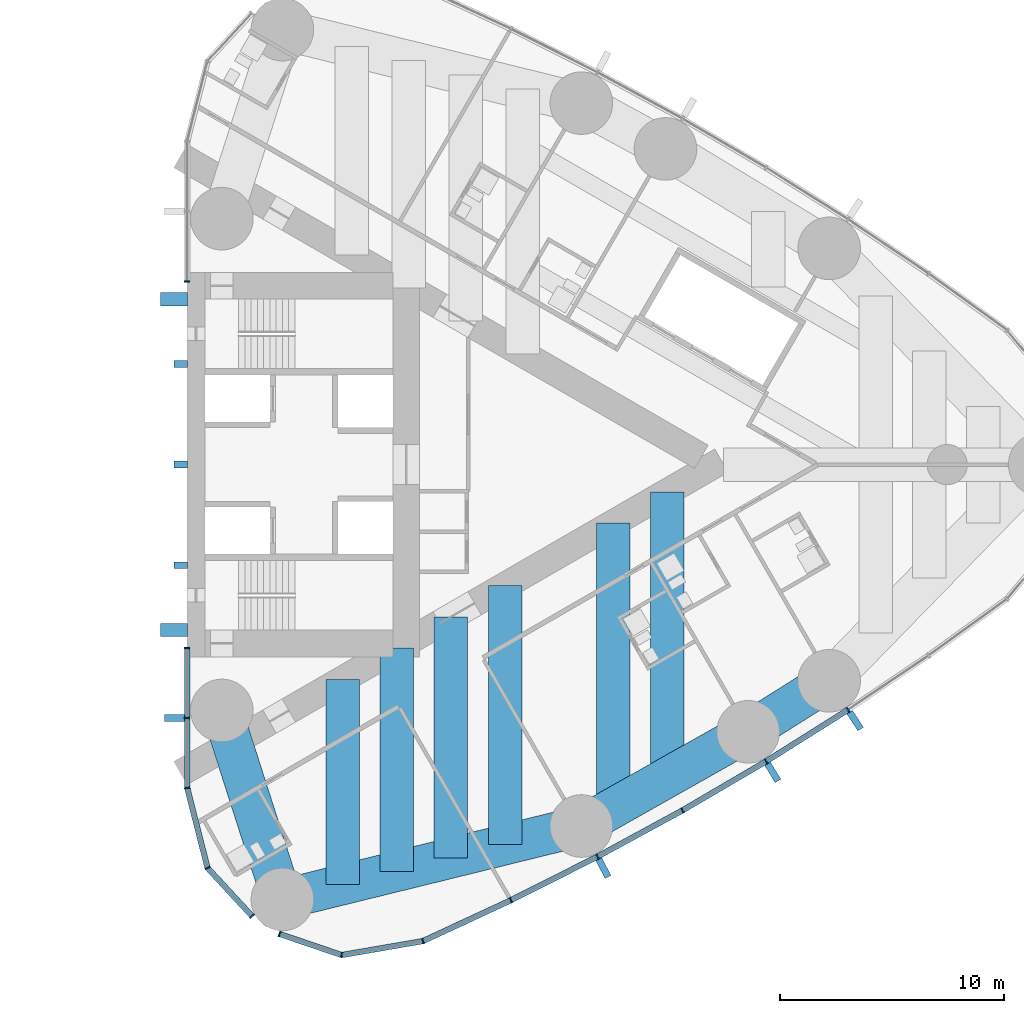
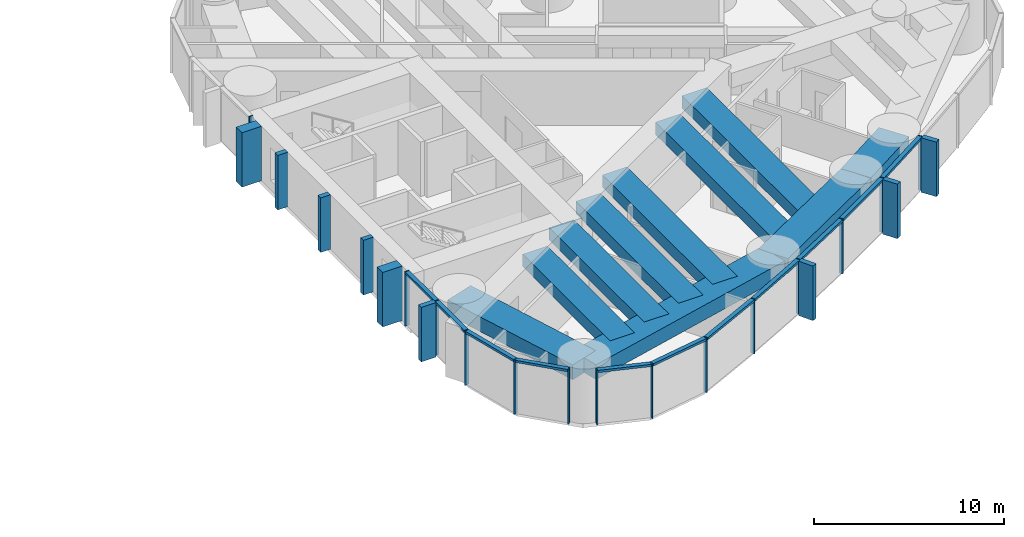
# One storey, part 6 of 18: 34 members, 10 beams, 3 elements without a shape of their own.
"""IFC4 building model written with IfcOpenShell, lengths in metres."""

from ifc_helpers import new_model, si_unit, direction, frame, origin, origin_2d, place, context, subcontext, project, spatial, rectangle, extrude, material, material_profile, profile_set, type_object, element, aggregate, save


model = new_model("IFC4")

# Units and contexts
model_context = context("Model", 3, precision=1e-05, world=origin(), true_north=direction((0.0, 1.0)))
body_context = subcontext(model_context, "Body", "Model", "MODEL_VIEW")
ifc_project = project(units=[si_unit("LENGTHUNIT", "METRE"), si_unit("AREAUNIT", "SQUARE_METRE"), si_unit("VOLUMEUNIT", "CUBIC_METRE"), si_unit("PLANEANGLEUNIT", "RADIAN"), si_unit("MASSUNIT", "GRAM", prefix="KILO")], contexts=[model_context])

# Site, building, storey
site_placement = place(None, origin())
site = spatial("IfcSite", under=ifc_project, at=site_placement, CompositionType="ELEMENT")
building_placement = place(site_placement, origin())
building = spatial("IfcBuilding", under=site, at=building_placement, Name="Lancet Gate Hotel", CompositionType="ELEMENT")
storey_placement = place(building_placement, frame((0.0, 0.0, 166.800048828125)))
storey = spatial("IfcBuildingStorey", under=building, at=storey_placement, Name="L44", CompositionType="ELEMENT", Elevation=166.800048828125)

# Curtain wall, members
ifc_material_1 = material(Name="Aluminium curtain wall", Category="aluminium")
curtain_wall_type = type_object("IfcCurtainWallType", Name="Tower unitised curtain wall", PredefinedType="USERDEFINED", material=ifc_material_1)
curtain_wall_1_placement = place(storey_placement, origin())
curtain_wall_1 = element("IfcCurtainWall", 1, at=curtain_wall_1_placement, inside=storey, type_object=curtain_wall_type, Name="T2 L44 curtain wall 1", ObjectType="UNITISED CURTAIN WALL", PredefinedType="USERDEFINED")
ifc_material_2 = material(Name="Aluminium mullion", Category="aluminium")
ifc_material_profile_1 = material_profile(ifc_material_2, rectangle(XDim=0.06494140625, YDim=0.25, at=origin_2d()), Name="MULLION 65x250")
ifc_profile_set_1 = profile_set([ifc_material_profile_1], Name="Aluminium mullion")
member_type_1 = type_object("IfcMemberType", Name="Aluminium mullion 65x250", PredefinedType="MULLION", material=ifc_profile_set_1)
member_1_placement = place(storey_placement, frame((27.5, -8.199951171875, 0.0), z_axis=(0.0, 0.0, 1.0), x_axis=(0.0, -1.0, 0.0)))
member_1 = element("IfcMember", 2, at=member_1_placement, type_object=member_type_1, Name="T2 L44 curtain wall 1 mullion 1", PredefinedType="MULLION", context=body_context, shape_type="SweptSolid", body=[
    extrude(rectangle(XDim=0.06494140625, YDim=0.25, at=origin_2d()), origin(), (0.0, 0.0, 1.0), 3.5),
])
member_2_placement = place(storey_placement, frame((27.5, -11.332763671875, 0.0), z_axis=(0.0, 0.0, 1.0), x_axis=(0.0, -1.0, 0.0)))
member_2 = element("IfcMember", 3, at=member_2_placement, type_object=member_type_1, Name="T2 L44 curtain wall 1 mullion 2", PredefinedType="MULLION", context=body_context, shape_type="SweptSolid", body=[
    extrude(rectangle(XDim=0.06494140625, YDim=0.25, at=origin_2d()), origin(), (0.0, 0.0, 1.0), 3.5),
])
member_3_placement = place(storey_placement, frame((27.5, -14.465576171875, 0.0), z_axis=(0.0, 0.0, 1.0), x_axis=(0.134206524909, -0.990953383703, 0.0)))
member_3 = element("IfcMember", 4, at=member_3_placement, type_object=member_type_1, Name="T2 L44 curtain wall 1 mullion 3", PredefinedType="MULLION", context=body_context, shape_type="SweptSolid", body=[
    extrude(rectangle(XDim=0.06494140625, YDim=0.25, at=origin_2d()), origin(), (0.0, 0.0, 1.0), 3.5),
])
member_4_placement = place(storey_placement, frame((28.408935546875, -18.04443359375, 0.0), z_axis=(0.0, 0.0, 1.0), x_axis=(0.451505925065, -0.892268120932, 0.0)))
member_4 = element("IfcMember", 5, at=member_4_placement, type_object=member_type_1, Name="T2 L44 curtain wall 1 mullion 4", PredefinedType="MULLION", context=body_context, shape_type="SweptSolid", body=[
    extrude(rectangle(XDim=0.06494140625, YDim=0.25, at=origin_2d()), origin(), (0.0, 0.0, 1.0), 3.5),
])
member_5_placement = place(storey_placement, frame((30.40185546875, -20.199951171875, 0.0), z_axis=(0.0, 0.0, 1.0), x_axis=(0.67883123083, -0.734294327943, 0.0)))
member_5 = element("IfcMember", 6, at=member_5_placement, type_object=member_type_1, Name="T2 L44 curtain wall 1 mullion 5", PredefinedType="MULLION", context=body_context, shape_type="SweptSolid", body=[
    extrude(rectangle(XDim=0.06494140625, YDim=0.25, at=origin_2d()), origin(), (0.0, 0.0, 1.0), 3.5),
])

curtain_wall_2_placement = place(storey_placement, origin())
curtain_wall_2 = element("IfcCurtainWall", 7, at=curtain_wall_2_placement, inside=storey, type_object=curtain_wall_type, Name="T2 L44 curtain wall 2", ObjectType="UNITISED CURTAIN WALL", PredefinedType="USERDEFINED")
member_6_placement = place(storey_placement, frame((31.631591796875, -20.998779296875, 0.0), z_axis=(0.0, 0.0, 1.0), x_axis=(0.946952368511, -0.321373943827, 0.0)))
member_6 = element("IfcMember", 8, at=member_6_placement, type_object=member_type_1, Name="T2 L44 curtain wall 2 mullion 1", PredefinedType="MULLION", context=body_context, shape_type="SweptSolid", body=[
    extrude(rectangle(XDim=0.06494140625, YDim=0.25, at=origin_2d()), origin(), (0.0, 0.0, 1.0), 3.5),
])
member_7_placement = place(storey_placement, frame((34.412109375, -21.9423828125, 0.0), z_axis=(0.0, 0.0, 1.0), x_axis=(0.99877556888, -0.049470829879, 0.0)))
member_7 = element("IfcMember", 9, at=member_7_placement, type_object=member_type_1, Name="T2 L44 curtain wall 2 mullion 2", PredefinedType="MULLION", context=body_context, shape_type="SweptSolid", body=[
    extrude(rectangle(XDim=0.06494140625, YDim=0.25, at=origin_2d()), origin(), (0.0, 0.0, 1.0), 3.5),
])
member_8_placement = place(storey_placement, frame((38.05126953125, -21.31689453125, 0.0), z_axis=(0.0, 0.0, 1.0), x_axis=(0.951355493327, 0.308095318555, 0.0)))
member_8 = element("IfcMember", 10, at=member_8_placement, type_object=member_type_1, Name="T2 L44 curtain wall 2 mullion 3", PredefinedType="MULLION", context=body_context, shape_type="SweptSolid", body=[
    extrude(rectangle(XDim=0.06494140625, YDim=0.25, at=origin_2d()), origin(), (0.0, 0.0, 1.0), 3.5),
])
member_9_placement = place(storey_placement, frame((41.98193359375, -19.490966796875, 0.0), z_axis=(0.0, 0.0, 1.0), x_axis=(0.900141333422, 0.435597956681, 0.0)))
member_9 = element("IfcMember", 11, at=member_9_placement, type_object=member_type_1, Name="T2 L44 curtain wall 2 mullion 4", PredefinedType="MULLION", context=body_context, shape_type="SweptSolid", body=[
    extrude(rectangle(XDim=0.06494140625, YDim=0.25, at=origin_2d()), origin(), (0.0, 0.0, 1.0), 3.5),
])
member_10_placement = place(storey_placement, frame((45.8525390625, -17.54150390625, 0.0), z_axis=(0.0, 0.0, 1.0), x_axis=(0.885877049989, 0.463920092584, 0.0)))
member_10 = element("IfcMember", 12, at=member_10_placement, type_object=member_type_1, Name="T2 L44 curtain wall 2 mullion 5", PredefinedType="MULLION", context=body_context, shape_type="SweptSolid", body=[
    extrude(rectangle(XDim=0.06494140625, YDim=0.25, at=origin_2d()), origin(), (0.0, 0.0, 1.0), 3.5),
])
member_11_placement = place(storey_placement, frame((49.65966796875, -15.47021484375, 0.0), z_axis=(0.0, 0.0, 1.0), x_axis=(0.870721916932, 0.491775704336, 0.0)))
member_11 = element("IfcMember", 13, at=member_11_placement, type_object=member_type_1, Name="T2 L44 curtain wall 2 mullion 6", PredefinedType="MULLION", context=body_context, shape_type="SweptSolid", body=[
    extrude(rectangle(XDim=0.06494140625, YDim=0.25, at=origin_2d()), origin(), (0.0, 0.0, 1.0), 3.5),
])
member_12_placement = place(storey_placement, frame((53.39892578125, -13.279541015625, 0.0), z_axis=(0.0, 0.0, 1.0), x_axis=(0.854691174453, 0.519136779965, 0.0)))
member_12 = element("IfcMember", 14, at=member_12_placement, type_object=member_type_1, Name="T2 L44 curtain wall 2 mullion 7", PredefinedType="MULLION", context=body_context, shape_type="SweptSolid", body=[
    extrude(rectangle(XDim=0.06494140625, YDim=0.25, at=origin_2d()), origin(), (0.0, 0.0, 1.0), 3.5),
])
member_13_placement = place(storey_placement, frame((57.067138671875, -10.970947265625, 0.0), z_axis=(0.0, 0.0, 1.0), x_axis=(0.837800943278, 0.545975804815, 0.0)))
member_13 = element("IfcMember", 15, at=member_13_placement, type_object=member_type_1, Name="T2 L44 curtain wall 2 mullion 8", PredefinedType="MULLION", context=body_context, shape_type="SweptSolid", body=[
    extrude(rectangle(XDim=0.06494140625, YDim=0.25, at=origin_2d()), origin(), (0.0, 0.0, 1.0), 3.5),
])

# Curtain wall, member
curtain_wall_3_placement = place(storey_placement, origin())
curtain_wall_3 = element("IfcCurtainWall", 16, at=curtain_wall_3_placement, inside=storey, type_object=curtain_wall_type, Name="T2 L44 curtain wall 4", ObjectType="UNITISED CURTAIN WALL", PredefinedType="USERDEFINED")
member_14_placement = place(storey_placement, frame((27.5, 8.199951171875, 0.0), z_axis=(0.0, 0.0, 1.0), x_axis=(0.0, -1.0, 0.0)))
member_14 = element("IfcMember", 17, at=member_14_placement, type_object=member_type_1, Name="T2 L44 curtain wall 4 mullion 5", PredefinedType="MULLION", context=body_context, shape_type="SweptSolid", body=[
    extrude(rectangle(XDim=0.06494140625, YDim=0.25, at=origin_2d()), origin(), (0.0, 0.0, 1.0), 3.5),
])
aggregate(curtain_wall_3, [member_14])

# Member
ifc_material_3 = material(Name="Aluminium transom", Category="aluminium")
ifc_material_profile_2 = material_profile(ifc_material_3, rectangle(XDim=0.25, YDim=0.14990234375, at=origin_2d()), Name="TRANSOM 250x150")
ifc_profile_set_2 = profile_set([ifc_material_profile_2], Name="Aluminium transom")
member_type_2 = type_object("IfcMemberType", Name="Aluminium transom 250x150", PredefinedType="USERDEFINED", material=ifc_profile_set_2)
member_15_placement = place(storey_placement, frame((27.5, -8.232421875, 3.425048828125), z_axis=(0.0, -1.0, 0.0), x_axis=(1.0, 0.0, 0.0)))
member_15 = element("IfcMember", 18, at=member_15_placement, type_object=member_type_2, Name="T2 L44 curtain wall 1 transom 1", ObjectType="TRANSOM", PredefinedType="USERDEFINED", context=body_context, shape_type="SweptSolid", body=[
    extrude(rectangle(XDim=0.25, YDim=0.14990234375, at=origin_2d()), origin(), (0.0, 0.0, 1.0), 3.06787109375),
])

member_16_placement = place(storey_placement, frame((27.5, -11.365234375, 3.425048828125), z_axis=(0.0, -1.0, 0.0), x_axis=(1.0, 0.0, 0.0)))
member_16 = element("IfcMember", 19, at=member_16_placement, type_object=member_type_2, Name="T2 L44 curtain wall 1 transom 2", ObjectType="TRANSOM", PredefinedType="USERDEFINED", context=body_context, shape_type="SweptSolid", body=[
    extrude(rectangle(XDim=0.25, YDim=0.14990234375, at=origin_2d()), origin(), (0.0, 0.0, 1.0), 3.06787109375),
])

member_17_placement = place(storey_placement, frame((27.508056640625, -14.4970703125, 3.425048828125), z_axis=(0.246128756616, -0.969237140831, 0.0), x_axis=(0.969237140831, 0.246128756616, 0.0)))
member_17 = element("IfcMember", 20, at=member_17_placement, type_object=member_type_2, Name="T2 L44 curtain wall 1 transom 3", ObjectType="TRANSOM", PredefinedType="USERDEFINED", context=body_context, shape_type="SweptSolid", body=[
    extrude(rectangle(XDim=0.25, YDim=0.14990234375, at=origin_2d()), origin(), (0.0, 0.0, 1.0), 3.62744140625),
])

member_18_placement = place(storey_placement, frame((28.43115234375, -18.068359375, 3.425048828125), z_axis=(0.678792146129, -0.734330458549, 0.0), x_axis=(0.734330458549, 0.678792146129, 0.0)))
member_18 = element("IfcMember", 21, at=member_18_placement, type_object=member_type_2, Name="T2 L44 curtain wall 1 transom 4", ObjectType="TRANSOM", PredefinedType="USERDEFINED", context=body_context, shape_type="SweptSolid", body=[
    extrude(rectangle(XDim=0.25, YDim=0.14990234375, at=origin_2d()), origin(), (0.0, 0.0, 1.0), 2.87060546875),
])

member_19_placement = place(storey_placement, frame((31.662353515625, -21.00927734375, 3.425048828125), z_axis=(0.946943122832, -0.321401185625, 0.0), x_axis=(0.321401185625, 0.946943122832, 0.0)))
member_19 = element("IfcMember", 22, at=member_19_placement, type_object=member_type_2, Name="T2 L44 curtain wall 2 transom 1", ObjectType="TRANSOM", PredefinedType="USERDEFINED", context=body_context, shape_type="SweptSolid", body=[
    extrude(rectangle(XDim=0.25, YDim=0.14990234375, at=origin_2d()), origin(), (0.0, 0.0, 1.0), 2.871337890625),
])

member_20_placement = place(storey_placement, frame((34.444091796875, -21.93701171875, 3.425048828125), z_axis=(0.985536950873, 0.169460669373, 0.0), x_axis=(-0.169460669373, 0.985536950873, 0.0)))
member_20 = element("IfcMember", 23, at=member_20_placement, type_object=member_type_2, Name="T2 L44 curtain wall 2 transom 2", ObjectType="TRANSOM", PredefinedType="USERDEFINED", context=body_context, shape_type="SweptSolid", body=[
    extrude(rectangle(XDim=0.25, YDim=0.14990234375, at=origin_2d()), origin(), (0.0, 0.0, 1.0), 3.627685546875),
])

member_21_placement = place(storey_placement, frame((38.080810546875, -21.30322265625, 3.425048828125), z_axis=(0.906913768492, 0.421316290357, 0.0), x_axis=(-0.421316290357, 0.906913768492, 0.0)))
member_21 = element("IfcMember", 24, at=member_21_placement, type_object=member_type_2, Name="T2 L44 curtain wall 2 transom 3", ObjectType="TRANSOM", PredefinedType="USERDEFINED", context=body_context, shape_type="SweptSolid", body=[
    extrude(rectangle(XDim=0.25, YDim=0.14990234375, at=origin_2d()), origin(), (0.0, 0.0, 1.0), 4.26904296875),
])

member_22_placement = place(storey_placement, frame((42.010986328125, -19.476318359375, 3.425048828125), z_axis=(0.893130969207, 0.449796700571, 0.0), x_axis=(-0.449796700571, 0.893130969207, 0.0)))
member_22 = element("IfcMember", 25, at=member_22_placement, type_object=member_type_2, Name="T2 L44 curtain wall 2 transom 4", ObjectType="TRANSOM", PredefinedType="USERDEFINED", context=body_context, shape_type="SweptSolid", body=[
    extrude(rectangle(XDim=0.25, YDim=0.14990234375, at=origin_2d()), origin(), (0.0, 0.0, 1.0), 4.26904296875),
])

member_23_placement = place(storey_placement, frame((45.881103515625, -17.526123046875, 3.425048828125), z_axis=(0.878404302735, 0.477918278513, 0.0), x_axis=(-0.477918278513, 0.878404302735, 0.0)))
member_23 = element("IfcMember", 26, at=member_23_placement, type_object=member_type_2, Name="T2 L44 curtain wall 2 transom 5", ObjectType="TRANSOM", PredefinedType="USERDEFINED", context=body_context, shape_type="SweptSolid", body=[
    extrude(rectangle(XDim=0.25, YDim=0.14990234375, at=origin_2d()), origin(), (0.0, 0.0, 1.0), 4.26904296875),
])

member_24_placement = place(storey_placement, frame((49.687744140625, -15.453857421875, 3.425048828125), z_axis=(0.862825279032, 0.505502262966, 0.0), x_axis=(-0.505502262966, 0.862825279032, 0.0)))
member_24 = element("IfcMember", 27, at=member_24_placement, type_object=member_type_2, Name="T2 L44 curtain wall 2 transom 6", ObjectType="TRANSOM", PredefinedType="USERDEFINED", context=body_context, shape_type="SweptSolid", body=[
    extrude(rectangle(XDim=0.25, YDim=0.14990234375, at=origin_2d()), origin(), (0.0, 0.0, 1.0), 4.26904296875),
])

member_25_placement = place(storey_placement, frame((53.426513671875, -13.26220703125, 3.425048828125), z_axis=(0.846333101657, 0.532653997488, 0.0), x_axis=(-0.532653997488, 0.846333101657, 0.0)))
member_25 = element("IfcMember", 28, at=member_25_placement, type_object=member_type_2, Name="T2 L44 curtain wall 2 transom 7", ObjectType="TRANSOM", PredefinedType="USERDEFINED", context=body_context, shape_type="SweptSolid", body=[
    extrude(rectangle(XDim=0.25, YDim=0.14990234375, at=origin_2d()), origin(), (0.0, 0.0, 1.0), 4.26904296875),
])

# Beams
ifc_material_4 = material(Name="Concrete C50/60", Category="concrete")
ifc_material_profile_3 = material_profile(ifc_material_4, rectangle(XDim=1.800048828125, YDim=0.949951171875, at=origin_2d()), Name="RC 1800x950")
ifc_profile_set_3 = profile_set([ifc_material_profile_3], Name="Concrete C50/60")
beam_type_1 = type_object("IfcBeamType", Name="Edge beam RC 1800x950", PredefinedType="SPANDREL", material=ifc_profile_set_3)
beam_1_placement = place(storey_placement, frame((31.759765625, -19.455810546875, 2.77490234375), z_axis=(0.971093253227, 0.238700426344, 0.0), x_axis=(-0.238700426344, 0.971093253227, 0.0)))
element("IfcBeam", 29, at=beam_1_placement, inside=storey, type_object=beam_type_1, Name="T2 edge beam EB1 L44", PredefinedType="SPANDREL", context=body_context, shape_type="SweptSolid", body=[
    extrude(rectangle(XDim=1.800048828125, YDim=0.949951171875, at=origin_2d()), origin(), (0.0, 0.0, 1.0), 13.77197265625),
])
beam_2_placement = place(storey_placement, frame((45.133544921875, -16.16845703125, 2.77490234375), z_axis=(0.870721990329, 0.491775574381, 0.0), x_axis=(-0.491775574381, 0.870721990329, 0.0)))
element("IfcBeam", 30, at=beam_2_placement, inside=storey, type_object=beam_type_1, Name="T2 edge beam EB1 L44", PredefinedType="SPANDREL", context=body_context, shape_type="SweptSolid", body=[
    extrude(rectangle(XDim=1.800048828125, YDim=0.949951171875, at=origin_2d()), origin(), (0.0, 0.0, 1.0), 8.568603515625),
])
beam_3_placement = place(storey_placement, frame((52.594482421875, -11.95458984375, 2.77490234375), z_axis=(0.846348902569, 0.532628890617, 0.0), x_axis=(-0.532628890617, 0.846348902569, 0.0)))
element("IfcBeam", 31, at=beam_3_placement, inside=storey, type_object=beam_type_1, Name="T2 edge beam EB1 L44", PredefinedType="SPANDREL", context=body_context, shape_type="SweptSolid", body=[
    extrude(rectangle(XDim=1.800048828125, YDim=0.949951171875, at=origin_2d()), origin(), (0.0, 0.0, 1.0), 4.284912109375),
])
beam_4_placement = place(storey_placement, frame((31.759765625, -19.455810546875, 2.77490234375), z_axis=(-0.305169772986, 0.952297962644, 0.0), x_axis=(-0.952297962644, -0.305169772986, 0.0)))
element("IfcBeam", 32, at=beam_4_placement, inside=storey, type_object=beam_type_1, Name="T2 edge beam EB1 L44", PredefinedType="SPANDREL", context=body_context, shape_type="SweptSolid", body=[
    extrude(rectangle(XDim=1.800048828125, YDim=0.949951171875, at=origin_2d()), origin(), (0.0, 0.0, 1.0), 8.87939453125),
])

# Members
ifc_material_5 = material(Name="Concrete C60/75", Category="concrete")
ifc_material_profile_4 = material_profile(ifc_material_5, rectangle(XDim=0.60009765625, YDim=1.199951171875, at=origin_2d()), Name="FIN 600x1200")
ifc_profile_set_4 = profile_set([ifc_material_profile_4], Name="Concrete C60/75")
member_type_3 = type_object("IfcMemberType", Name="Exposed concrete buttress pilaster 600x1200", PredefinedType="USERDEFINED", material=ifc_profile_set_4)
for number, where, z_axis, x_axis, name in (
    (33, (26.909912109375, -7.39990234375, 0.0), (0.0, 0.0, 1.0), (0.0, 1.0, 0.0), "T2 buttress pilaster S L44"),
    (34, (26.909912109375, 7.39990234375, 0.0), (0.0, 0.0, 1.0), (0.0, 1.0, 0.0), "T2 buttress pilaster N L44"),
):
    element("IfcMember", number, at=place(storey_placement, frame(where, z_axis=z_axis, x_axis=x_axis)), inside=storey, type_object=member_type_3, Name=name, ObjectType="FIN", PredefinedType="USERDEFINED", context=body_context, shape_type="SweptSolid", body=[
        extrude(rectangle(XDim=0.60009765625, YDim=1.199951171875, at=origin_2d()), origin(), (0.0, 0.0, 1.0), 3.5),
    ])

# Member
ifc_material_6 = material(Name="Precast concrete C50/60", Category="concrete")
ifc_material_profile_5 = material_profile(ifc_material_6, rectangle(XDim=0.300048828125, YDim=0.89990234375, at=origin_2d()), Name="FIN 300x900")
ifc_profile_set_5 = profile_set([ifc_material_profile_5], Name="Precast concrete C50/60")
member_type_4 = type_object("IfcMemberType", Name="Exposed concrete fin 300x900", PredefinedType="USERDEFINED", material=ifc_profile_set_5)
member_26_placement = place(storey_placement, frame((26.925048828125, -11.332763671875, 0.0), z_axis=(0.0, 0.0, 1.0), x_axis=(0.0, -1.0, 0.0)))
member_26 = element("IfcMember", 35, at=member_26_placement, type_object=member_type_4, Name="T2 L44 curtain wall 1 fin 2", ObjectType="FIN", PredefinedType="USERDEFINED", context=body_context, shape_type="SweptSolid", body=[
    extrude(rectangle(XDim=0.300048828125, YDim=0.89990234375, at=origin_2d()), origin(), (0.0, 0.0, 1.0), 3.5),
])

aggregate(curtain_wall_1, [member_1, member_2, member_26, member_3, member_4, member_5, member_15, member_16, member_17, member_18])

member_27_placement = place(storey_placement, frame((46.119384765625, -18.051025390625, 0.0), z_axis=(0.0, 0.0, 1.0), x_axis=(0.885877049989, 0.463920092584, 0.0)))
member_27 = element("IfcMember", 36, at=member_27_placement, type_object=member_type_4, Name="T2 L44 curtain wall 2 fin 5", ObjectType="FIN", PredefinedType="USERDEFINED", context=body_context, shape_type="SweptSolid", body=[
    extrude(rectangle(XDim=0.300048828125, YDim=0.89990234375, at=origin_2d()), origin(), (0.0, 0.0, 1.0), 3.5),
])

member_28_placement = place(storey_placement, frame((53.697509765625, -13.770751953125, 0.0), z_axis=(0.0, 0.0, 1.0), x_axis=(0.854691174453, 0.519136779965, 0.0)))
member_28 = element("IfcMember", 37, at=member_28_placement, type_object=member_type_4, Name="T2 L44 curtain wall 2 fin 7", ObjectType="FIN", PredefinedType="USERDEFINED", context=body_context, shape_type="SweptSolid", body=[
    extrude(rectangle(XDim=0.300048828125, YDim=0.89990234375, at=origin_2d()), origin(), (0.0, 0.0, 1.0), 3.5),
])

member_29_placement = place(storey_placement, frame((57.381103515625, -11.452880859375, 0.0), z_axis=(0.0, 0.0, 1.0), x_axis=(0.837800943278, 0.545975804815, 0.0)))
member_29 = element("IfcMember", 38, at=member_29_placement, type_object=member_type_4, Name="T2 L44 curtain wall 2 fin 8", ObjectType="FIN", PredefinedType="USERDEFINED", context=body_context, shape_type="SweptSolid", body=[
    extrude(rectangle(XDim=0.300048828125, YDim=0.89990234375, at=origin_2d()), origin(), (0.0, 0.0, 1.0), 3.5),
])

aggregate(curtain_wall_2, [member_6, member_7, member_8, member_9, member_10, member_27, member_11, member_12, member_28, member_13, member_29, member_19, member_20, member_21, member_22, member_23, member_24, member_25])

# Members
ifc_material_7 = material(Name="Concrete C60/75", Category="concrete")
ifc_material_profile_6 = material_profile(ifc_material_7, rectangle(XDim=0.300048828125, YDim=0.60009765625, at=origin_2d()), Name="FIN 300x600")
ifc_profile_set_6 = profile_set([ifc_material_profile_6], Name="Concrete C60/75")
member_type_5 = type_object("IfcMemberType", Name="Exposed concrete rib 300x600", PredefinedType="USERDEFINED", material=ifc_profile_set_6)
for number, where, z_axis, x_axis, name in (
    (39, (27.2099609375, -4.5, 0.0), (0.0, 0.0, 1.0), (0.0, 1.0, 0.0), "T2 core rib 1 L44"),
    (40, (27.2099609375, 0.0, 0.0), (0.0, 0.0, 1.0), (0.0, 1.0, 0.0), "T2 core rib 2 L44"),
    (41, (27.2099609375, 4.5, 0.0), (0.0, 0.0, 1.0), (0.0, 1.0, 0.0), "T2 core rib 3 L44"),
):
    element("IfcMember", number, at=place(storey_placement, frame(where, z_axis=z_axis, x_axis=x_axis)), inside=storey, type_object=member_type_5, Name=name, ObjectType="FIN", PredefinedType="USERDEFINED", context=body_context, shape_type="SweptSolid", body=[
        extrude(rectangle(XDim=0.300048828125, YDim=0.60009765625, at=origin_2d()), origin(), (0.0, 0.0, 1.0), 3.5),
    ])

# Beams
ifc_material_8 = material(Name="Concrete C50/60", Category="concrete")
ifc_material_profile_7 = material_profile(ifc_material_8, rectangle(XDim=1.5, YDim=0.800048828125, at=origin_2d()), Name="RC 1500x800")
ifc_profile_set_7 = profile_set([ifc_material_profile_7], Name="Concrete C50/60")
beam_type_2 = type_object("IfcBeamType", Name="Floor beam RC 1500x800", PredefinedType="BEAM", material=ifc_profile_set_7)
beam_5_placement = place(storey_placement, frame((34.460693359375, -18.7919921875, 2.849853515625), z_axis=(0.0, 1.0, 0.0), x_axis=(-1.0, 0.0, 0.0)))
element("IfcBeam", 42, at=beam_5_placement, inside=storey, type_object=beam_type_2, Name="T2 floor beam F01S L44", PredefinedType="BEAM", context=body_context, shape_type="SweptSolid", body=[
    extrude(rectangle(XDim=1.5, YDim=0.800048828125, at=origin_2d()), origin(), (0.0, 0.0, 1.0), 9.18408203125),
])
beam_6_placement = place(storey_placement, frame((36.880859375, -18.197021484375, 2.849853515625), z_axis=(0.0, 1.0, 0.0), x_axis=(-1.0, 0.0, 0.0)))
element("IfcBeam", 43, at=beam_6_placement, inside=storey, type_object=beam_type_2, Name="T2 floor beam F03S L44", PredefinedType="BEAM", context=body_context, shape_type="SweptSolid", body=[
    extrude(rectangle(XDim=1.5, YDim=0.800048828125, at=origin_2d()), origin(), (0.0, 0.0, 1.0), 9.986328125),
])
beam_7_placement = place(storey_placement, frame((39.301025390625, -17.60205078125, 2.849853515625), z_axis=(0.0, 1.0, 0.0), x_axis=(-1.0, 0.0, 0.0)))
element("IfcBeam", 44, at=beam_7_placement, inside=storey, type_object=beam_type_2, Name="T2 floor beam F05S L44", PredefinedType="BEAM", context=body_context, shape_type="SweptSolid", body=[
    extrude(rectangle(XDim=1.5, YDim=0.800048828125, at=origin_2d()), origin(), (0.0, 0.0, 1.0), 10.78857421875),
])
beam_8_placement = place(storey_placement, frame((41.721435546875, -17.007080078125, 2.849853515625), z_axis=(0.0, 1.0, 0.0), x_axis=(-1.0, 0.0, 0.0)))
element("IfcBeam", 45, at=beam_8_placement, inside=storey, type_object=beam_type_2, Name="T2 floor beam F07S L44", PredefinedType="BEAM", context=body_context, shape_type="SweptSolid", body=[
    extrude(rectangle(XDim=1.5, YDim=0.800048828125, at=origin_2d()), origin(), (0.0, 0.0, 1.0), 11.591064453125),
])
beam_9_placement = place(storey_placement, frame((46.561767578125, -15.36181640625, 2.849853515625), z_axis=(0.0, 1.0, 0.0), x_axis=(-1.0, 0.0, 0.0)))
element("IfcBeam", 46, at=beam_9_placement, inside=storey, type_object=beam_type_2, Name="T2 floor beam F09S L44", PredefinedType="BEAM", context=body_context, shape_type="SweptSolid", body=[
    extrude(rectangle(XDim=1.5, YDim=0.800048828125, at=origin_2d()), origin(), (0.0, 0.0, 1.0), 12.740478515625),
])
beam_10_placement = place(storey_placement, frame((48.98193359375, -13.994873046875, 2.849853515625), z_axis=(0.0, 1.0, 0.0), x_axis=(-1.0, 0.0, 0.0)))
element("IfcBeam", 47, at=beam_10_placement, inside=storey, type_object=beam_type_2, Name="T2 floor beam F10S L44", PredefinedType="BEAM", context=body_context, shape_type="SweptSolid", body=[
    extrude(rectangle(XDim=1.5, YDim=0.800048828125, at=origin_2d()), origin(), (0.0, 0.0, 1.0), 12.770751953125),
])

save(model, "model.ifc")
